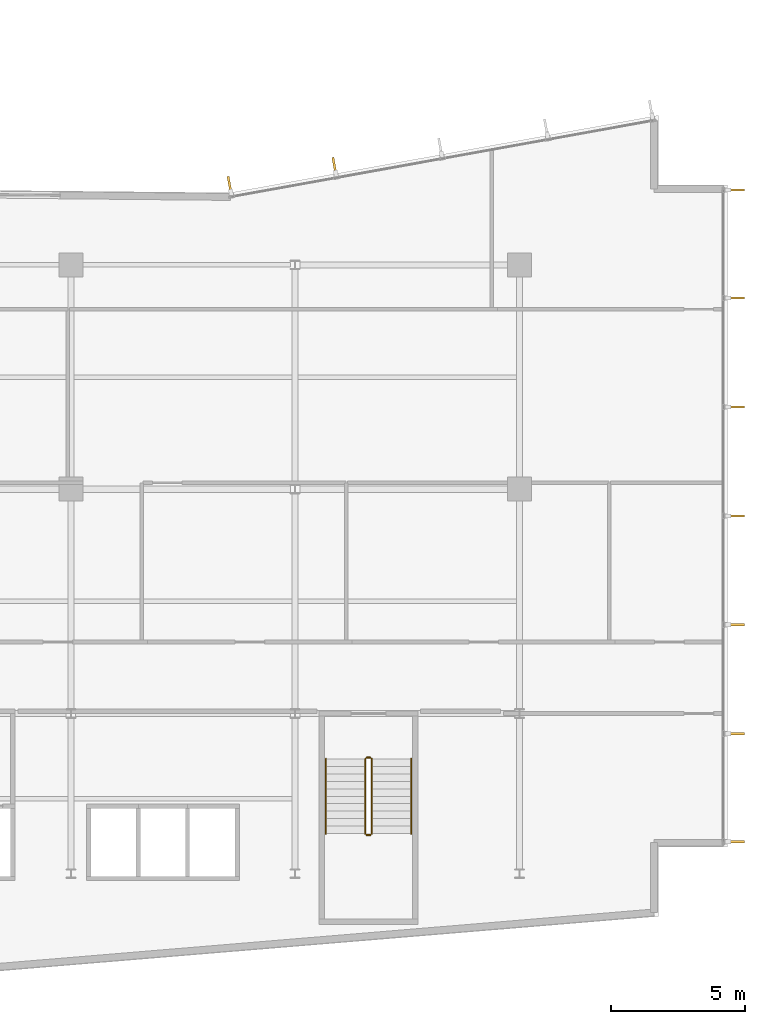
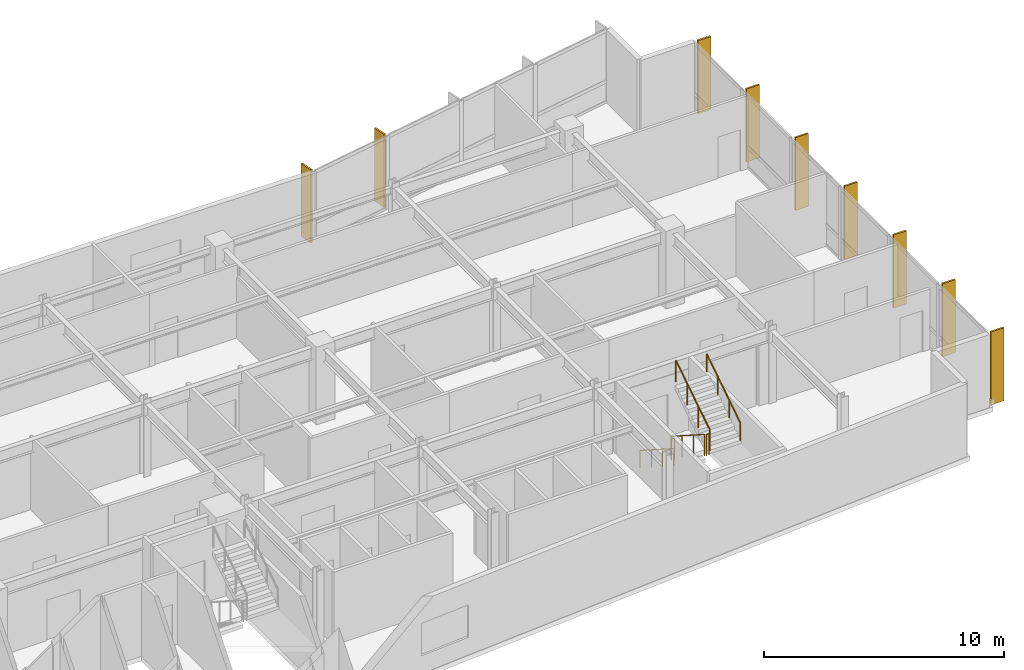
# One storey, part 18 of 20: 9 shading devices, 6 railings.
"""IFC4 building model written with IfcOpenShell, lengths in metres."""

from ifc_helpers import new_model, si_unit, direction, frame, origin, origin_2d, place, context, subcontext, project, spatial, rectangle, circle, extrude, material, layer, layer_set, type_object, element, save


model = new_model("IFC4")

# Units and contexts
model_context = context("Model", 3, precision=1e-05, world=origin(), true_north=direction((0.0, 1.0)))
body_context = subcontext(model_context, "Body", "Model", "MODEL_VIEW")
ifc_project = project(units=[si_unit("LENGTHUNIT", "METRE"), si_unit("AREAUNIT", "SQUARE_METRE"), si_unit("VOLUMEUNIT", "CUBIC_METRE"), si_unit("PLANEANGLEUNIT", "RADIAN"), si_unit("MASSUNIT", "GRAM", prefix="KILO")], contexts=[model_context])

# Site, building, storey
site_placement = place(None, origin())
site = spatial("IfcSite", under=ifc_project, at=site_placement, CompositionType="ELEMENT")
building_placement = place(site_placement, origin())
building = spatial("IfcBuilding", under=site, at=building_placement, Name="Varnakote Quay Hospital", CompositionType="ELEMENT")
storey_placement = place(building_placement, frame((0.0, 0.0, 46.199951171875)))
storey = spatial("IfcBuildingStorey", under=building, at=storey_placement, Name="L11", CompositionType="ELEMENT", Elevation=46.199951171875)

# Railings
ifc_material_1 = material(Name="Brushed stainless steel balustrade", Category="steel")
railing_type_1 = type_object("IfcRailingType", Name="RLG-STAIR-GUARD-1150", PredefinedType="GUARDRAIL", material=ifc_material_1)
railing_1_placement = place(storey_placement, frame((44.6298828125, 10.300048828125, 0.1796875)))
element("IfcRailing", 1, at=railing_1_placement, inside=storey, type_object=railing_type_1, Name="L11 ST-03 stair guard 1", PredefinedType="GUARDRAIL", context=body_context, shape_type="SweptSolid", body=[
    extrude(circle(Radius=0.02392578125, at=origin_2d()), frame((0.0, 0.0, 1.076171875), z_axis=(0.0, -0.841809871826, 0.539774156196), x_axis=(1.0, 0.0, 0.0)), (0.0, 0.0, 1.0), 3.326171875),
    extrude(circle(Radius=0.02099609375, at=origin_2d()), origin(), (0.0, 0.0, 1.0), 1.052001953125),
    extrude(circle(Radius=0.02099609375, at=origin_2d()), frame((0.0, -0.933349609375, 0.598388671875)), (0.0, 0.0, 1.0), 1.052001953125),
    extrude(circle(Radius=0.02099609375, at=origin_2d()), frame((0.0, -1.86669921875, 1.197021484375)), (0.0, 0.0, 1.0), 1.052001953125),
    extrude(circle(Radius=0.02099609375, at=origin_2d()), frame((0.0, -2.800048828125, 1.79541015625)), (0.0, 0.0, 1.0), 1.052001953125),
])
railing_2_placement = place(storey_placement, frame((44.679931640625, 7.449951171875, 1.97509765625)))
element("IfcRailing", 2, at=railing_2_placement, inside=storey, type_object=railing_type_1, Name="L11 ST-03 stair guard 2", PredefinedType="GUARDRAIL", context=body_context, shape_type="SweptSolid", body=[
    extrude(circle(Radius=0.02392578125, at=origin_2d()), frame((0.0, 0.0, 1.076171875), z_axis=(1.0, 0.0, 0.0), x_axis=(0.0, 1.0, 0.0)), (0.0, 0.0, 1.0), 0.14013671875),
    extrude(circle(Radius=0.02099609375, at=origin_2d()), origin(), (0.0, 0.0, 1.0), 1.052001953125),
    extrude(circle(Radius=0.02099609375, at=origin_2d()), frame((0.14013671875, 0.0, 0.0)), (0.0, 0.0, 1.0), 1.052001953125),
])
railing_3_placement = place(storey_placement, frame((44.8701171875, 7.5, 2.154541015625)))
element("IfcRailing", 3, at=railing_3_placement, inside=storey, type_object=railing_type_1, Name="L11 ST-03 stair guard 3", PredefinedType="GUARDRAIL", context=body_context, shape_type="SweptSolid", body=[
    extrude(circle(Radius=0.02392578125, at=origin_2d()), frame((0.0, 0.0, 1.076171875), z_axis=(0.0, 0.841809871826, 0.539774156196), x_axis=(-1.0, 0.0, 0.0)), (0.0, 0.0, 1.0), 3.326171875),
    extrude(circle(Radius=0.02099609375, at=origin_2d()), origin(), (0.0, 0.0, 1.0), 1.052001953125),
    extrude(circle(Radius=0.02099609375, at=origin_2d()), frame((0.0, 0.933349609375, 0.598388671875)), (0.0, 0.0, 1.0), 1.052001953125),
    extrude(circle(Radius=0.02099609375, at=origin_2d()), frame((0.0, 1.86669921875, 1.197021484375)), (0.0, 0.0, 1.0), 1.052001953125),
    extrude(circle(Radius=0.02099609375, at=origin_2d()), frame((0.0, 2.800048828125, 1.79541015625)), (0.0, 0.0, 1.0), 1.052001953125),
])
railing_4_placement = place(storey_placement, frame((44.679931640625, 10.35009765625, 0.0)))
element("IfcRailing", 4, at=railing_4_placement, inside=storey, type_object=railing_type_1, Name="L11 ST-03 stair guard 4", PredefinedType="GUARDRAIL", context=body_context, shape_type="SweptSolid", body=[
    extrude(circle(Radius=0.02392578125, at=origin_2d()), frame((0.0, 0.0, 1.076171875), z_axis=(1.0, 0.0, 0.0), x_axis=(0.0, 1.0, 0.0)), (0.0, 0.0, 1.0), 0.14013671875),
    extrude(circle(Radius=0.02099609375, at=origin_2d()), origin(), (0.0, 0.0, 1.0), 1.052001953125),
    extrude(circle(Radius=0.02099609375, at=origin_2d()), frame((0.14013671875, 0.0, 0.0)), (0.0, 0.0, 1.0), 1.052001953125),
])
ifc_material_2 = material(Name="Brushed stainless steel handrail", Category="steel")
railing_type_2 = type_object("IfcRailingType", Name="RLG-STAIR-HND-920", PredefinedType="HANDRAIL", material=ifc_material_2)
railing_5_placement = place(storey_placement, frame((43.14990234375, 10.300048828125, 0.1796875)))
element("IfcRailing", 5, at=railing_5_placement, inside=storey, type_object=railing_type_2, Name="L11 ST-03 stair handrail 1", PredefinedType="HANDRAIL", context=body_context, shape_type="SweptSolid", body=[
    extrude(circle(Radius=0.02392578125, at=origin_2d()), frame((0.0, 0.0, 0.8759765625), z_axis=(0.0, -0.841809871826, 0.539774156196), x_axis=(1.0, 0.0, 0.0)), (0.0, 0.0, 1.0), 3.326171875),
    extrude(circle(Radius=0.02099609375, at=origin_2d()), origin(), (0.0, 0.0, 1.0), 0.851806640625),
    extrude(circle(Radius=0.02099609375, at=origin_2d()), frame((0.0, -0.933349609375, 0.598388671875)), (0.0, 0.0, 1.0), 0.851806640625),
    extrude(circle(Radius=0.02099609375, at=origin_2d()), frame((0.0, -1.86669921875, 1.197021484375)), (0.0, 0.0, 1.0), 0.851806640625),
    extrude(circle(Radius=0.02099609375, at=origin_2d()), frame((0.0, -2.800048828125, 1.79541015625)), (0.0, 0.0, 1.0), 0.851806640625),
])
railing_6_placement = place(storey_placement, frame((46.35009765625, 7.5, 2.154541015625)))
element("IfcRailing", 6, at=railing_6_placement, inside=storey, type_object=railing_type_2, Name="L11 ST-03 stair handrail 2", PredefinedType="HANDRAIL", context=body_context, shape_type="SweptSolid", body=[
    extrude(circle(Radius=0.02392578125, at=origin_2d()), frame((0.0, 0.0, 0.8759765625), z_axis=(0.0, 0.841809871826, 0.539774156196), x_axis=(-1.0, 0.0, 0.0)), (0.0, 0.0, 1.0), 3.326171875),
    extrude(circle(Radius=0.02099609375, at=origin_2d()), origin(), (0.0, 0.0, 1.0), 0.851806640625),
    extrude(circle(Radius=0.02099609375, at=origin_2d()), frame((0.0, 0.933349609375, 0.598388671875)), (0.0, 0.0, 1.0), 0.851806640625),
    extrude(circle(Radius=0.02099609375, at=origin_2d()), frame((0.0, 1.86669921875, 1.197021484375)), (0.0, 0.0, 1.0), 0.851806640625),
    extrude(circle(Radius=0.02099609375, at=origin_2d()), frame((0.0, 2.800048828125, 1.79541015625)), (0.0, 0.0, 1.0), 0.851806640625),
])

# Shading devices
ifc_material_3 = material(Name="Anodised aluminium 6063-T6 Bronze", Category="aluminium")
ifc_layer = layer(ifc_material_3, 0.0849609375)
ifc_layer_set = layer_set([ifc_layer], Name="Anodised aluminium 6063-T6 Bronze")
shading_device_type = type_object("IfcShadingDeviceType", Name="SHD-BRONZE-FIN-620", PredefinedType="USERDEFINED", material=ifc_layer_set)
for number, where, z_axis, x_axis, name in (
    (7, (58.510009765625, 7.197509765625, 0.0), (0.0, 0.0, 1.0), (-1.0, 0.0, 0.0), "L11 Anodised Bronze Vertical Shading FIN"),
    (8, (58.510009765625, 11.239990234375, 0.0), (0.0, 0.0, 1.0), (-1.0, 0.0, 0.0), "L11 Anodised Bronze Vertical Shading FIN"),
    (9, (58.510009765625, 15.320068359375, 0.0), (0.0, 0.0, 1.0), (-1.0, 0.0, 0.0), "L11 Anodised Bronze Vertical Shading FIN"),
    (10, (58.510009765625, 19.39990234375, 0.0), (0.0, 0.0, 1.0), (-1.0, 0.0, 0.0), "L11 Anodised Bronze Vertical Shading FIN"),
    (11, (58.510009765625, 23.47998046875, 0.0), (0.0, 0.0, 1.0), (-1.0, 0.0, 0.0), "L11 Anodised Bronze Vertical Shading FIN"),
    (12, (58.510009765625, 27.56005859375, 0.0), (0.0, 0.0, 1.0), (-1.0, 0.0, 0.0), "L11 Anodised Bronze Vertical Shading FIN"),
    (13, (58.510009765625, 31.6025390625, 0.0), (0.0, 0.0, 1.0), (-1.0, 0.0, 0.0), "L11 Anodised Bronze Vertical Shading FIN"),
    (14, (43.468505859375, 32.522705078125, 0.0), (0.0, 0.0, 1.0), (0.177771795263, -0.984071739666, 0.0), "L11 Anodised Bronze Vertical Shading FIN"),
    (15, (39.54296875, 31.81298828125, 0.0), (0.0, 0.0, 1.0), (0.177771795263, -0.984071739666, 0.0), "L11 Anodised Bronze Vertical Shading FIN"),
):
    element("IfcShadingDevice", number, at=place(storey_placement, frame(where, z_axis=z_axis, x_axis=x_axis)), inside=storey, type_object=shading_device_type, Name=name, ObjectType="FIN", PredefinedType="USERDEFINED", context=body_context, shape_type="SweptSolid", body=[
        extrude(rectangle(XDim=0.6201171875, YDim=0.0849609375, at=origin_2d()), origin(), (0.0, 0.0, 1.0), 3.7099609375),
    ])

save(model, "model.ifc")
